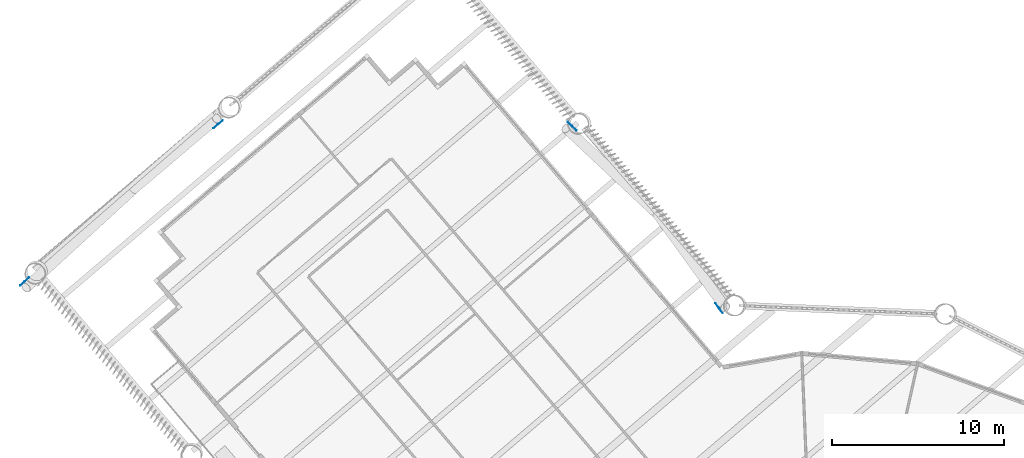
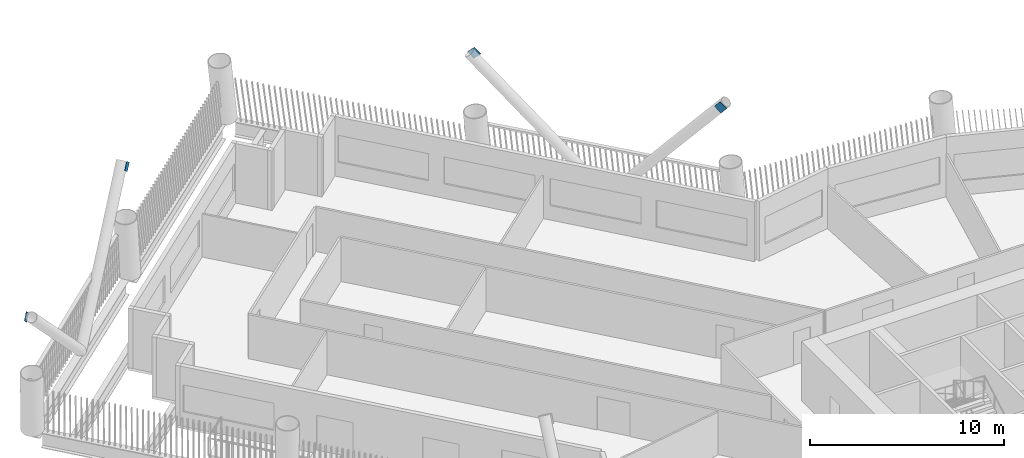
# One storey, part 11 of 21: 4 discrete accessories.
"""IFC4 building model written with IfcOpenShell, lengths in metres."""

from ifc_helpers import new_model, si_unit, direction, frame, origin, origin_2d, place, context, subcontext, project, spatial, rectangle, extrude, material, material_profile, profile_set, type_object, element, save


model = new_model("IFC4")

# Units and contexts
model_context = context("Model", 3, precision=1e-05, world=origin(), true_north=direction((0.0, 1.0)))
body_context = subcontext(model_context, "Body", "Model", "MODEL_VIEW")
ifc_project = project(units=[si_unit("LENGTHUNIT", "METRE"), si_unit("AREAUNIT", "SQUARE_METRE"), si_unit("VOLUMEUNIT", "CUBIC_METRE"), si_unit("PLANEANGLEUNIT", "RADIAN"), si_unit("MASSUNIT", "GRAM", prefix="KILO")], contexts=[model_context])

# Site, building, storey
site_placement = place(None, origin())
site = spatial("IfcSite", under=ifc_project, at=site_placement, CompositionType="ELEMENT")
building_placement = place(site_placement, origin())
building = spatial("IfcBuilding", under=site, at=building_placement, Name="Tarsis Ring Headquarters", CompositionType="ELEMENT")
storey_placement = place(building_placement, frame((0.0, 0.0, 47.800048828125)))
storey = spatial("IfcBuildingStorey", under=building, at=storey_placement, Name="L09", CompositionType="ELEMENT", Elevation=47.800048828125)

# Discrete accessories
ifc_material = material(Name="Structural steel S355", Category="steel")
ifc_material_profile = material_profile(ifc_material, rectangle(XDim=0.02490234375, YDim=0.5, at=origin_2d()), Name="PL 25x500")
ifc_profile_set = profile_set([ifc_material_profile], Name="Structural steel S355")
discrete_accessory_type = type_object("IfcDiscreteAccessoryType", Name="Gusset plate Exo brace 25", PredefinedType="BRACKET", material=ifc_profile_set)
for number, where, z_axis, x_axis, name in (
    (1, (-14.540771484375, 39.145263671875, 7.800048828125), (0.498416219922, -0.467173675285, -0.730294480905), (0.683869814428, 0.729604054891, 0.0), "Gusset plate GP5"),
    (2, (-5.784912109375, 28.331787109375, 7.800048828125), (-0.380839899047, 0.526340270734, -0.760215029251), (-0.81016365762, -0.586203759688, 0.0), "Gusset plate GP5"),
    (3, (-46.33740234375, 29.891357421875, 7.800048828125), (0.542959882629, 0.498527014536, -0.675770213632), (-0.676324326529, 0.736603967777, 0.0), "Gusset plate GP5"),
    (4, (-34.85009765625, 39.24169921875, 7.800048828125), (-0.478940136371, -0.406195915862, -0.778216694572), (0.64681306683, -0.762648580001, 0.0), "Gusset plate GP5"),
):
    element("IfcDiscreteAccessory", number, at=place(storey_placement, frame(where, z_axis=z_axis, x_axis=x_axis)), inside=storey, type_object=discrete_accessory_type, Name=name, PredefinedType="BRACKET", context=body_context, shape_type="SweptSolid", body=[
        extrude(rectangle(XDim=0.02490234375, YDim=0.5, at=origin_2d()), origin(), (0.0, 0.0, 1.0), 0.5),
    ])

save(model, "model.ifc")
